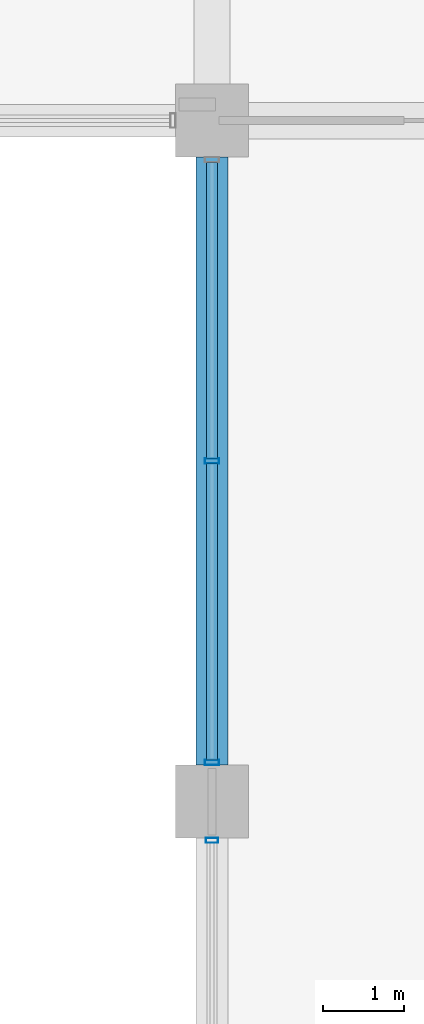
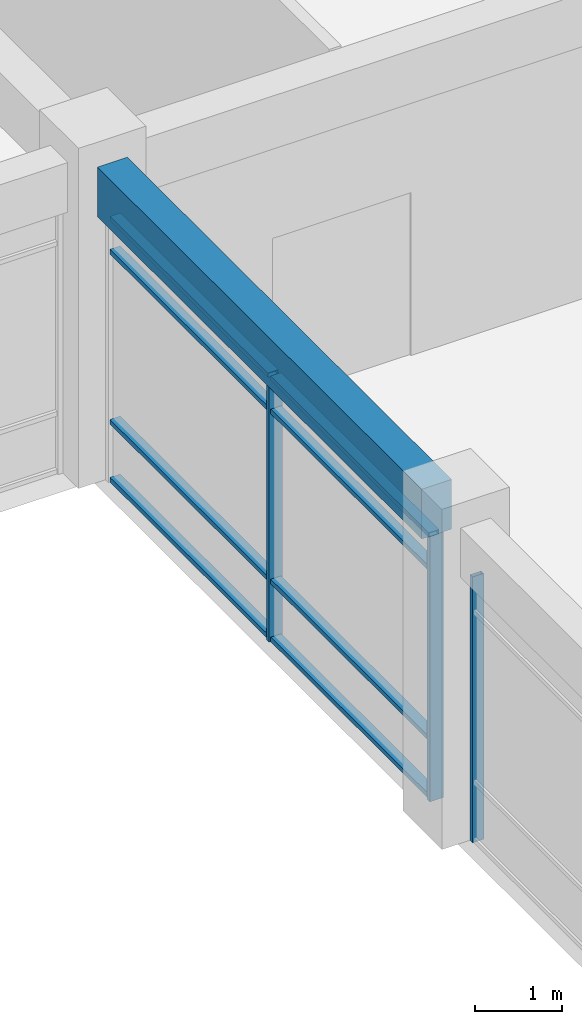
# One storey, part 38 of 79: 11 members, 1 beam, 2 elements without a shape of their own.
"""IFC4 building model written with IfcOpenShell, lengths in metres."""

from ifc_helpers import new_model, si_unit, direction, frame, origin, origin_2d, place, context, subcontext, project, spatial, rectangle, hollow_rectangle, extrude, material, material_profile, profile_set, type_object, element, aggregate, save


model = new_model("IFC4")

# Units and contexts
model_context = context("Model", 3, precision=1e-05, world=origin(), true_north=direction((0.0, 1.0)))
body_context = subcontext(model_context, "Body", "Model", "MODEL_VIEW")
ifc_project = project(units=[si_unit("LENGTHUNIT", "METRE"), si_unit("AREAUNIT", "SQUARE_METRE"), si_unit("VOLUMEUNIT", "CUBIC_METRE"), si_unit("PLANEANGLEUNIT", "RADIAN"), si_unit("MASSUNIT", "GRAM", prefix="KILO"), si_unit("THERMODYNAMICTEMPERATUREUNIT", "KELVIN"), si_unit("POWERUNIT", "WATT")], contexts=[model_context])

# Site, building, storey
site_placement = place(None, origin())
site = spatial("IfcSite", under=ifc_project, at=site_placement, CompositionType="ELEMENT")
building_placement = place(site_placement, origin())
building = spatial("IfcBuilding", under=site, at=building_placement, Name="Srebrne Nadtorze General Hospital", CompositionType="ELEMENT")
storey_placement = place(building_placement, frame((0.0, 0.0, 4.800048828125)))
storey = spatial("IfcBuildingStorey", under=building, at=storey_placement, Name="L01", CompositionType="ELEMENT", Elevation=4.800048828125)

# Curtain wall, member
ifc_material_1 = material(Name="Anodised Aluminium", Category="aluminium")
curtain_wall_type = type_object("IfcCurtainWallType", Name="Unitised curtain wall 7500x3750", PredefinedType="NOTDEFINED", material=ifc_material_1)
curtain_wall_1_placement = place(storey_placement, origin())
curtain_wall_1 = element("IfcCurtainWall", 1, at=curtain_wall_1_placement, inside=storey, type_object=curtain_wall_type, Name="Curtain wall CW-064", PredefinedType="NOTDEFINED")
ifc_material_2 = material(Name="Anodised Aluminium", Category="aluminium")
ifc_material_profile_1 = material_profile(ifc_material_2, hollow_rectangle(XDim=0.06005859375, YDim=0.14990234375, WallThickness=0.00390625, at=origin_2d()), Name="AL-MUL-60x150")
ifc_profile_set_1 = profile_set([ifc_material_profile_1], Name="Anodised Aluminium")
member_type_1 = type_object("IfcMemberType", Name="Curtain mullion 60x150", PredefinedType="MULLION", material=ifc_profile_set_1)
member_1_placement = place(storey_placement, frame((132.60009765625, 16.320068359375, 0.0), z_axis=(0.0, 0.0, 1.0), x_axis=(0.0, 1.0, 0.0)))
member_1 = element("IfcMember", 2, at=member_1_placement, type_object=member_type_1, Name="CW-064 mullion 3", PredefinedType="MULLION", context=body_context, shape_type="SweptSolid", body=[
    extrude(hollow_rectangle(XDim=0.06005859375, YDim=0.14990234375, WallThickness=0.00390625, at=origin_2d()), origin(), (0.0, 0.0, 1.0), 3.75),
])
aggregate(curtain_wall_1, [member_1])

# Curtain wall, members
curtain_wall_2_placement = place(storey_placement, origin())
curtain_wall_2 = element("IfcCurtainWall", 3, at=curtain_wall_2_placement, inside=storey, type_object=curtain_wall_type, Name="Curtain wall CW-065", PredefinedType="NOTDEFINED")
ifc_material_3 = material(Name="Anodised Aluminium", Category="aluminium")
ifc_material_profile_2 = material_profile(ifc_material_3, hollow_rectangle(XDim=0.06494140625, YDim=0.179931640625, WallThickness=0.00390625, at=origin_2d()), Name="AL-MUL-65x180")
ifc_profile_set_2 = profile_set([ifc_material_profile_2], Name="Anodised Aluminium")
member_type_2 = type_object("IfcMemberType", Name="Curtain mullion 65x180", PredefinedType="MULLION", material=ifc_profile_set_2)
member_2_placement = place(storey_placement, frame((132.60009765625, 17.282470703125, 0.0), z_axis=(0.0, 0.0, 1.0), x_axis=(0.0, 1.0, 0.0)))
member_2 = element("IfcMember", 4, at=member_2_placement, type_object=member_type_2, Name="CW-065 mullion 1", PredefinedType="MULLION", context=body_context, shape_type="SweptSolid", body=[
    extrude(hollow_rectangle(XDim=0.06494140625, YDim=0.179931640625, WallThickness=0.00390625, at=origin_2d()), origin(), (0.0, 0.0, 1.0), 3.75),
])
member_3_placement = place(storey_placement, frame((132.60009765625, 21.0, 0.0), z_axis=(0.0, 0.0, 1.0), x_axis=(0.0, 1.0, 0.0)))
member_3 = element("IfcMember", 5, at=member_3_placement, type_object=member_type_2, Name="CW-065 mullion 2", PredefinedType="MULLION", context=body_context, shape_type="SweptSolid", body=[
    extrude(hollow_rectangle(XDim=0.06494140625, YDim=0.179931640625, WallThickness=0.00390625, at=origin_2d()), origin(), (0.0, 0.0, 1.0), 3.75),
])
ifc_material_4 = material(Name="Anodised Aluminium", Category="aluminium")
ifc_material_profile_3 = material_profile(ifc_material_4, hollow_rectangle(XDim=0.06494140625, YDim=0.139892578125, WallThickness=0.00390625, at=origin_2d()), Name="AL-TRN-65x140")
ifc_profile_set_3 = profile_set([ifc_material_profile_3], Name="Anodised Aluminium")
member_type_3 = type_object("IfcMemberType", Name="Curtain transom 65x140", PredefinedType="USERDEFINED", material=ifc_profile_set_3)
member_4_placement = place(storey_placement, frame((132.60009765625, 17.31494140625, 0.032470703125), z_axis=(0.0, 1.0, 0.0), x_axis=(0.0, 0.0, 1.0)))
member_4 = element("IfcMember", 6, at=member_4_placement, type_object=member_type_3, Name="CW-065 transom 1.1", ObjectType="TRANSOM", PredefinedType="USERDEFINED", context=body_context, shape_type="SweptSolid", body=[
    extrude(hollow_rectangle(XDim=0.06494140625, YDim=0.139892578125, WallThickness=0.00390625, at=origin_2d()), origin(), (0.0, 0.0, 1.0), 3.652587890625),
])
member_5_placement = place(storey_placement, frame((132.60009765625, 17.31494140625, 0.849853515625), z_axis=(0.0, 1.0, 0.0), x_axis=(0.0, 0.0, 1.0)))
member_5 = element("IfcMember", 7, at=member_5_placement, type_object=member_type_3, Name="CW-065 transom 1.2", ObjectType="TRANSOM", PredefinedType="USERDEFINED", context=body_context, shape_type="SweptSolid", body=[
    extrude(hollow_rectangle(XDim=0.06494140625, YDim=0.139892578125, WallThickness=0.00390625, at=origin_2d()), origin(), (0.0, 0.0, 1.0), 3.652587890625),
])
member_6_placement = place(storey_placement, frame((132.60009765625, 17.31494140625, 3.25), z_axis=(0.0, 1.0, 0.0), x_axis=(0.0, 0.0, 1.0)))
member_6 = element("IfcMember", 8, at=member_6_placement, type_object=member_type_3, Name="CW-065 transom 1.3", ObjectType="TRANSOM", PredefinedType="USERDEFINED", context=body_context, shape_type="SweptSolid", body=[
    extrude(hollow_rectangle(XDim=0.06494140625, YDim=0.139892578125, WallThickness=0.00390625, at=origin_2d()), origin(), (0.0, 0.0, 1.0), 3.652587890625),
])
member_7_placement = place(storey_placement, frame((132.60009765625, 17.31494140625, 3.717529296875), z_axis=(0.0, 1.0, 0.0), x_axis=(0.0, 0.0, 1.0)))
member_7 = element("IfcMember", 9, at=member_7_placement, type_object=member_type_3, Name="CW-065 transom 1.4", ObjectType="TRANSOM", PredefinedType="USERDEFINED", context=body_context, shape_type="SweptSolid", body=[
    extrude(hollow_rectangle(XDim=0.06494140625, YDim=0.139892578125, WallThickness=0.00390625, at=origin_2d()), origin(), (0.0, 0.0, 1.0), 3.652587890625),
])
member_8_placement = place(storey_placement, frame((132.60009765625, 21.032470703125, 0.032470703125), z_axis=(0.0, 1.0, 0.0), x_axis=(0.0, 0.0, 1.0)))
member_8 = element("IfcMember", 10, at=member_8_placement, type_object=member_type_3, Name="CW-065 transom 2.1", ObjectType="TRANSOM", PredefinedType="USERDEFINED", context=body_context, shape_type="SweptSolid", body=[
    extrude(hollow_rectangle(XDim=0.06494140625, YDim=0.139892578125, WallThickness=0.00390625, at=origin_2d()), origin(), (0.0, 0.0, 1.0), 3.652587890625),
])
member_9_placement = place(storey_placement, frame((132.60009765625, 21.032470703125, 0.849853515625), z_axis=(0.0, 1.0, 0.0), x_axis=(0.0, 0.0, 1.0)))
member_9 = element("IfcMember", 11, at=member_9_placement, type_object=member_type_3, Name="CW-065 transom 2.2", ObjectType="TRANSOM", PredefinedType="USERDEFINED", context=body_context, shape_type="SweptSolid", body=[
    extrude(hollow_rectangle(XDim=0.06494140625, YDim=0.139892578125, WallThickness=0.00390625, at=origin_2d()), origin(), (0.0, 0.0, 1.0), 3.652587890625),
])
member_10_placement = place(storey_placement, frame((132.60009765625, 21.032470703125, 3.25), z_axis=(0.0, 1.0, 0.0), x_axis=(0.0, 0.0, 1.0)))
member_10 = element("IfcMember", 12, at=member_10_placement, type_object=member_type_3, Name="CW-065 transom 2.3", ObjectType="TRANSOM", PredefinedType="USERDEFINED", context=body_context, shape_type="SweptSolid", body=[
    extrude(hollow_rectangle(XDim=0.06494140625, YDim=0.139892578125, WallThickness=0.00390625, at=origin_2d()), origin(), (0.0, 0.0, 1.0), 3.652587890625),
])
member_11_placement = place(storey_placement, frame((132.60009765625, 21.032470703125, 3.717529296875), z_axis=(0.0, 1.0, 0.0), x_axis=(0.0, 0.0, 1.0)))
member_11 = element("IfcMember", 13, at=member_11_placement, type_object=member_type_3, Name="CW-065 transom 2.4", ObjectType="TRANSOM", PredefinedType="USERDEFINED", context=body_context, shape_type="SweptSolid", body=[
    extrude(hollow_rectangle(XDim=0.06494140625, YDim=0.139892578125, WallThickness=0.00390625, at=origin_2d()), origin(), (0.0, 0.0, 1.0), 3.652587890625),
])
aggregate(curtain_wall_2, [member_2, member_3, member_4, member_5, member_6, member_7, member_8, member_9, member_10, member_11])

# Beam
ifc_material_5 = material(Name="Concrete C40/50", Category="concrete")
ifc_material_profile_4 = material_profile(ifc_material_5, rectangle(XDim=0.39990234375, YDim=0.699951171875, at=origin_2d()), Name="RC-BM-400x700")
ifc_profile_set_4 = profile_set([ifc_material_profile_4], Name="Concrete C40/50")
beam_type = type_object("IfcBeamType", Name="Edge beam RC 400x700", PredefinedType="BEAM", material=ifc_profile_set_4)
beam_placement = place(storey_placement, frame((132.60009765625, 17.25, 4.099853515625), z_axis=(0.0, 1.0, 0.0), x_axis=(-1.0, 0.0, 0.0)))
element("IfcBeam", 14, at=beam_placement, inside=storey, type_object=beam_type, Name="Beam BM-L01-Y-0529", PredefinedType="BEAM", context=body_context, shape_type="SweptSolid", body=[
    extrude(rectangle(XDim=0.39990234375, YDim=0.699951171875, at=origin_2d()), origin(), (0.0, 0.0, 1.0), 7.5),
])

save(model, "model.ifc")
